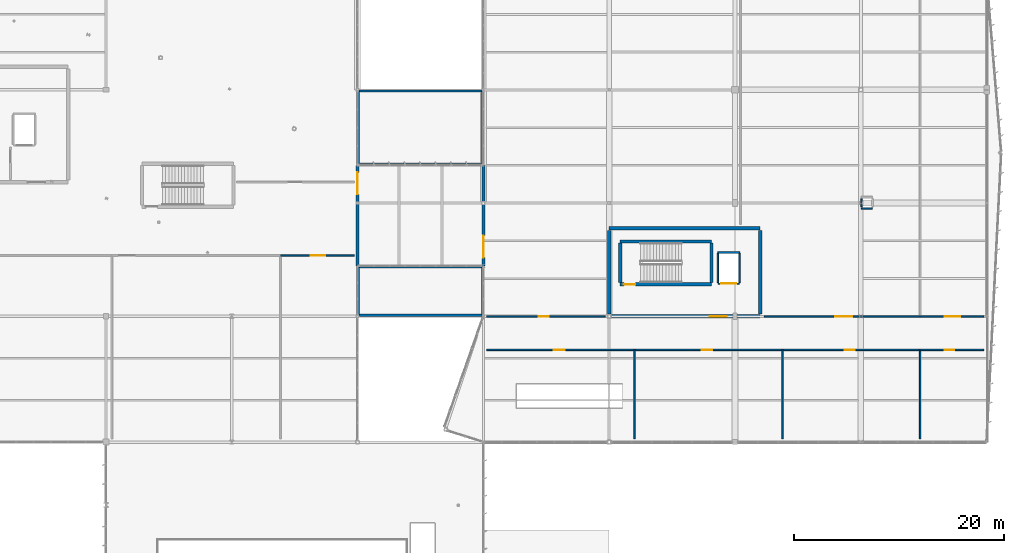
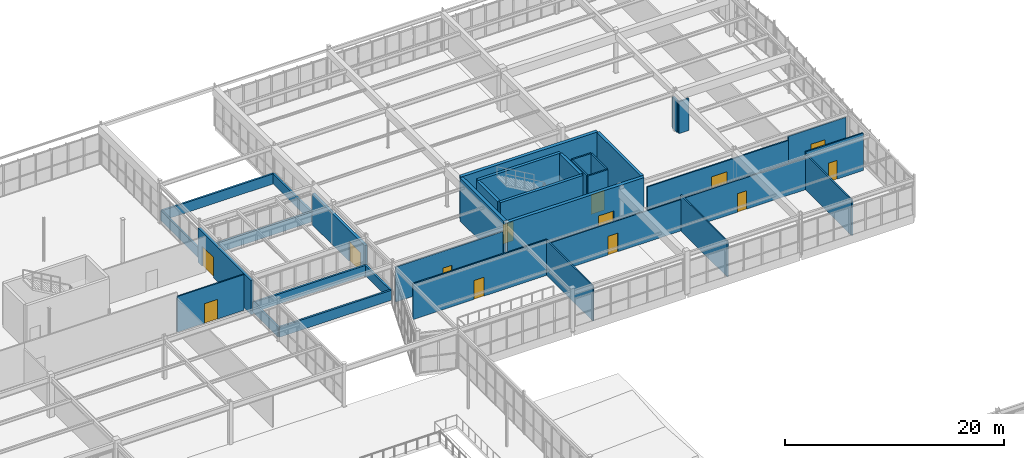
# One storey, part 198 of 226: 35 walls, 13 doors, 13 openings.
"""IFC4 building model written with IfcOpenShell, lengths in metres."""

from ifc_helpers import new_model, si_unit, direction, frame, frame_2d, origin, place, context, subcontext, project, spatial, rectangle, extrude, material, layer, layer_set, type_object, element, fill, save


model = new_model("IFC4")

# Units and contexts
model_context = context("Model", 3, precision=1e-05, world=origin(), true_north=direction((0.0, 1.0)))
body_context = subcontext(model_context, "Body", "Model", "MODEL_VIEW")
ifc_project = project(units=[si_unit("LENGTHUNIT", "METRE"), si_unit("AREAUNIT", "SQUARE_METRE"), si_unit("VOLUMEUNIT", "CUBIC_METRE"), si_unit("PLANEANGLEUNIT", "RADIAN"), si_unit("MASSUNIT", "GRAM", prefix="KILO")], contexts=[model_context])

# Site, building, storey
site_placement = place(None, origin())
site = spatial("IfcSite", under=ifc_project, at=site_placement, CompositionType="ELEMENT")
building_placement = place(site_placement, origin())
building = spatial("IfcBuilding", under=site, at=building_placement, Name="Tarnwether General Hospital", CompositionType="ELEMENT")
storey_placement = place(building_placement, frame((0.0, 0.0, 4.800048828125)))
storey = spatial("IfcBuildingStorey", under=building, at=storey_placement, Name="L01", CompositionType="ELEMENT", Elevation=4.800048828125)

# Wall, opening, door
ifc_material_1 = material(Name="Precast concrete 40 MPa", Category="concrete")
ifc_layer_1 = layer(ifc_material_1, 0.280029296875)
ifc_layer_set_1 = layer_set([ifc_layer_1], Name="Precast concrete 40 MPa")
wall_type_1 = type_object("IfcWallType", Name="WL-EX280", PredefinedType="STANDARD", material=ifc_layer_set_1)
wall_1_placement = place(storey_placement, frame((132.0, 108.0, 0.0), z_axis=(0.0, 0.0, 1.0), x_axis=(0.0, -1.0, 0.0)))
wall_1 = element("IfcWall", 1, at=wall_1_placement, inside=storey, type_object=wall_type_1, Name="L01 Bridge West Threshold EW-L01-0311", PredefinedType="STANDARD", context=body_context, shape_type="SweptSolid", body=[
    extrude(rectangle(XDim=9.60009765625, YDim=0.280029296875, at=frame_2d((4.800048828125, 0.0))), origin(), (0.0, 0.0, 1.0), 3.81787109375),
])
opening_1_placement = place(wall_1_placement, frame((0.680908203125, 0.0, 0.0)))
opening_1 = element("IfcOpeningElement", 2, at=opening_1_placement, cuts=wall_1, Name="Opening ED-09", PredefinedType="OPENING", context=body_context, shape_type="SweptSolid", body=[
    extrude(rectangle(XDim=2.10009765625, YDim=2.25, at=frame_2d((1.050048828125, 1.125))), frame((0.0, 0.14990234375, 0.0), z_axis=(0.0, -1.0, 0.0), x_axis=(1.0, 0.0, 0.0)), (0.0, 0.0, 1.0), 0.300048828125),
])
ifc_material_2 = material(Name="Anodised aluminium", Category="aluminium")
door_type_1 = type_object("IfcDoorType", Name="DR-HP01", OperationType="NOTDEFINED", PredefinedType="DOOR", material=ifc_material_2)
door_1_placement = place(opening_1_placement, origin())
door_1 = element("IfcDoor", 3, at=door_1_placement, inside=storey, type_object=door_type_1, Name="L01 Bridge West Door ED-L01-0039", OperationType="DOUBLE_DOOR_SINGLE_SWING", OverallHeight=2.25, OverallWidth=2.10009765625, PredefinedType="DOOR", context=body_context, shape_type="SweptSolid", body=[
    extrude(rectangle(XDim=2.10009765625, YDim=2.25, at=frame_2d((1.050048828125, 1.125))), frame((0.0, 0.02490234375, 0.0), z_axis=(0.0, -1.0, 0.0), x_axis=(1.0, 0.0, 0.0)), (0.0, 0.0, 1.0), 0.050048828125),
])
fill(opening_1, door_1)

wall_2_placement = place(storey_placement, frame((144.0, 98.39990234375, 0.0), z_axis=(0.0, 0.0, 1.0), x_axis=(0.0, 1.0, 0.0)))
wall_2 = element("IfcWall", 4, at=wall_2_placement, inside=storey, type_object=wall_type_1, Name="L01 Bridge East Threshold EW-L01-0312", PredefinedType="STANDARD", context=body_context, shape_type="SweptSolid", body=[
    extrude(rectangle(XDim=9.60009765625, YDim=0.280029296875, at=frame_2d((4.800048828125, 0.0))), origin(), (0.0, 0.0, 1.0), 3.47998046875),
])
opening_2_placement = place(wall_2_placement, frame((0.800048828125, 0.0, 0.0)))
opening_2 = element("IfcOpeningElement", 5, at=opening_2_placement, cuts=wall_2, Name="Opening ED-09", PredefinedType="OPENING", context=body_context, shape_type="SweptSolid", body=[
    extrude(rectangle(XDim=2.10009765625, YDim=2.25, at=frame_2d((1.050048828125, 1.125))), frame((0.0, 0.14990234375, 0.0), z_axis=(0.0, -1.0, 0.0), x_axis=(1.0, 0.0, 0.0)), (0.0, 0.0, 1.0), 0.300048828125),
])
door_2_placement = place(opening_2_placement, origin())
door_2 = element("IfcDoor", 6, at=door_2_placement, inside=storey, type_object=door_type_1, Name="L01 Bridge East Door ED-L01-0040", OperationType="DOUBLE_DOOR_SINGLE_SWING", OverallHeight=2.25, OverallWidth=2.10009765625, PredefinedType="DOOR", context=body_context, shape_type="SweptSolid", body=[
    extrude(rectangle(XDim=2.10009765625, YDim=2.25, at=frame_2d((1.050048828125, 1.125))), frame((0.0, 0.02490234375, 0.0), z_axis=(0.0, -1.0, 0.0), x_axis=(1.0, 0.0, 0.0)), (0.0, 0.0, 1.0), 0.050048828125),
])
fill(opening_2, door_2)

# Walls
ifc_material_3 = material(Name="Precast concrete 40 MPa", Category="concrete")
ifc_layer_2 = layer(ifc_material_3, 0.199951171875)
ifc_layer_set_2 = layer_set([ifc_layer_2], Name="Precast concrete 40 MPa")
wall_type_2 = type_object("IfcWallType", Name="WL-PR200", PredefinedType="PARAPET", material=ifc_layer_set_2)
wall_3_placement = place(storey_placement, frame((143.89990234375, 93.699951171875, 0.31005859375), z_axis=(0.0, 0.0, 1.0), x_axis=(-1.0, 0.0, 0.0)))
element("IfcWall", 7, at=wall_3_placement, inside=storey, type_object=wall_type_2, Name="Flat Roof Parapet EW-L01-0337", PredefinedType="PARAPET", context=body_context, shape_type="SweptSolid", body=[
    extrude(rectangle(XDim=11.7998046875, YDim=0.199951171875, at=frame_2d((5.89990234375, 0.0))), origin(), (0.0, 0.0, 1.0), 1.119873046875),
])
wall_4_placement = place(storey_placement, frame((132.10009765625, 93.699951171875, 0.31005859375), z_axis=(0.0, 0.0, 1.0), x_axis=(0.0, 1.0, 0.0)))
element("IfcWall", 8, at=wall_4_placement, inside=storey, type_object=wall_type_2, Name="Flat Roof Parapet EW-L01-0338", PredefinedType="PARAPET", context=body_context, shape_type="SweptSolid", body=[
    extrude(rectangle(XDim=4.60009765625, YDim=0.199951171875, at=frame_2d((2.300048828125, 0.0))), origin(), (0.0, 0.0, 1.0), 1.119873046875),
])
wall_5_placement = place(storey_placement, frame((132.10009765625, 98.300048828125, 0.31005859375), z_axis=(0.0, 0.0, 1.0), x_axis=(1.0, 0.0, 0.0)))
element("IfcWall", 9, at=wall_5_placement, inside=storey, type_object=wall_type_2, Name="Flat Roof Parapet EW-L01-0339", PredefinedType="PARAPET", context=body_context, shape_type="SweptSolid", body=[
    extrude(rectangle(XDim=11.7998046875, YDim=0.199951171875, at=frame_2d((5.89990234375, 0.0))), origin(), (0.0, 0.0, 1.0), 1.119873046875),
])
wall_6_placement = place(storey_placement, frame((143.89990234375, 98.300048828125, 0.31005859375), z_axis=(0.0, 0.0, 1.0), x_axis=(0.0, -1.0, 0.0)))
element("IfcWall", 10, at=wall_6_placement, inside=storey, type_object=wall_type_2, Name="Flat Roof Parapet EW-L01-0340", PredefinedType="PARAPET", context=body_context, shape_type="SweptSolid", body=[
    extrude(rectangle(XDim=4.60009765625, YDim=0.199951171875, at=frame_2d((2.300048828125, 0.0))), origin(), (0.0, 0.0, 1.0), 1.119873046875),
])
wall_7_placement = place(storey_placement, frame((143.89990234375, 108.10009765625, 0.31005859375), z_axis=(0.0, 0.0, 1.0), x_axis=(-1.0, 0.0, 0.0)))
element("IfcWall", 11, at=wall_7_placement, inside=storey, type_object=wall_type_2, Name="Flat Roof Parapet EW-L01-0341", PredefinedType="PARAPET", context=body_context, shape_type="SweptSolid", body=[
    extrude(rectangle(XDim=11.7998046875, YDim=0.199951171875, at=frame_2d((5.89990234375, 0.0))), origin(), (0.0, 0.0, 1.0), 1.119873046875),
])
wall_8_placement = place(storey_placement, frame((132.10009765625, 108.10009765625, 0.31005859375), z_axis=(0.0, 0.0, 1.0), x_axis=(0.0, 1.0, 0.0)))
element("IfcWall", 12, at=wall_8_placement, inside=storey, type_object=wall_type_2, Name="Flat Roof Parapet EW-L01-0342", PredefinedType="PARAPET", context=body_context, shape_type="SweptSolid", body=[
    extrude(rectangle(XDim=7.0, YDim=0.199951171875, at=frame_2d((3.5, 0.0))), origin(), (0.0, 0.0, 1.0), 1.119873046875),
])
wall_9_placement = place(storey_placement, frame((132.10009765625, 115.10009765625, 0.31005859375), z_axis=(0.0, 0.0, 1.0), x_axis=(1.0, 0.0, 0.0)))
element("IfcWall", 13, at=wall_9_placement, inside=storey, type_object=wall_type_2, Name="Flat Roof Parapet EW-L01-0343", PredefinedType="PARAPET", context=body_context, shape_type="SweptSolid", body=[
    extrude(rectangle(XDim=11.7998046875, YDim=0.199951171875, at=frame_2d((5.89990234375, 0.0))), origin(), (0.0, 0.0, 1.0), 1.119873046875),
])
wall_10_placement = place(storey_placement, frame((143.89990234375, 115.10009765625, 0.31005859375), z_axis=(0.0, 0.0, 1.0), x_axis=(0.0, -1.0, 0.0)))
element("IfcWall", 14, at=wall_10_placement, inside=storey, type_object=wall_type_2, Name="Flat Roof Parapet EW-L01-0344", PredefinedType="PARAPET", context=body_context, shape_type="SweptSolid", body=[
    extrude(rectangle(XDim=7.0, YDim=0.199951171875, at=frame_2d((3.5, 0.0))), origin(), (0.0, 0.0, 1.0), 1.119873046875),
])

# Wall, opening, door
ifc_material_4 = material(Name="Gypsum plasterboard")
ifc_layer_3 = layer(ifc_material_4, 0.139892578125)
ifc_layer_set_3 = layer_set([ifc_layer_3], Name="Gypsum plasterboard")
wall_type_3 = type_object("IfcWallType", Name="WL-PT140", PredefinedType="PARTITIONING", material=ifc_layer_set_3)
wall_11_placement = place(storey_placement, frame((124.660888671875, 99.39990234375, 0.0), z_axis=(0.0, 0.0, 1.0), x_axis=(1.0, 0.0, 0.0)))
wall_11 = element("IfcWall", 15, at=wall_11_placement, inside=storey, type_object=wall_type_3, Name="Interior Partition PT-L01-0201", PredefinedType="PARTITIONING", context=body_context, shape_type="SweptSolid", body=[
    extrude(rectangle(XDim=7.0390625, YDim=0.139892578125, at=frame_2d((3.51953125, 0.0))), origin(), (0.0, 0.0, 1.0), 3.972900390625),
])
opening_3_placement = place(wall_11_placement, frame((2.8701171875, 0.0, 0.0)))
opening_3 = element("IfcOpeningElement", 16, at=opening_3_placement, cuts=wall_11, Name="Opening D-02", PredefinedType="OPENING", context=body_context, shape_type="SweptSolid", body=[
    extrude(rectangle(XDim=1.360107421875, YDim=2.179931640625, at=frame_2d((0.68017578125, 1.08984375))), frame((0.0, 0.080078125, 0.0), z_axis=(0.0, -1.0, 0.0), x_axis=(1.0, 0.0, 0.0)), (0.0, 0.0, 1.0), 0.159912109375),
])
ifc_material_5 = material(Name="Anodised aluminium", Category="aluminium")
door_type_2 = type_object("IfcDoorType", Name="DR-IN02", OperationType="NOTDEFINED", PredefinedType="DOOR", material=ifc_material_5)
door_3_placement = place(opening_3_placement, origin())
door_3 = element("IfcDoor", 17, at=door_3_placement, inside=storey, type_object=door_type_2, Name="Interior Door DR-L01-0111", OperationType="SINGLE_SWING_LEFT", OverallHeight=2.179931640625, OverallWidth=1.360107421875, PredefinedType="DOOR", context=body_context, shape_type="SweptSolid", body=[
    extrude(rectangle(XDim=1.360107421875, YDim=2.179931640625, at=frame_2d((0.68017578125, 1.08984375))), frame((0.0, 0.02490234375, 0.0), z_axis=(0.0, -1.0, 0.0), x_axis=(1.0, 0.0, 0.0)), (0.0, 0.0, 1.0), 0.050048828125),
])
fill(opening_3, door_3)

wall_12_placement = place(storey_placement, frame((144.300048828125, 90.39990234375, 0.0), z_axis=(0.0, 0.0, 1.0), x_axis=(1.0, 0.0, 0.0)))
wall_12 = element("IfcWall", 18, at=wall_12_placement, inside=storey, type_object=wall_type_3, Name="Interior Partition PT-L01-0228", PredefinedType="PARTITIONING", context=body_context, shape_type="SweptSolid", body=[
    extrude(rectangle(XDim=14.118896484375, YDim=0.139892578125, at=frame_2d((7.0595703125, 0.0))), origin(), (0.0, 0.0, 1.0), 3.972900390625),
])
opening_4_placement = place(wall_12_placement, frame((6.409912109375, 0.0, 0.0)))
opening_4 = element("IfcOpeningElement", 19, at=opening_4_placement, cuts=wall_12, Name="Opening D-08", PredefinedType="OPENING", context=body_context, shape_type="SweptSolid", body=[
    extrude(rectangle(XDim=1.06005859375, YDim=2.10009765625, at=frame_2d((0.530029296875, 1.050048828125))), frame((0.0, 0.080078125, 0.0), z_axis=(0.0, -1.0, 0.0), x_axis=(1.0, 0.0, 0.0)), (0.0, 0.0, 1.0), 0.159912109375),
])
ifc_material_6 = material(Name="Anodised aluminium", Category="aluminium")
door_type_3 = type_object("IfcDoorType", Name="DR-IN08", OperationType="NOTDEFINED", PredefinedType="DOOR", material=ifc_material_6)
door_4_placement = place(opening_4_placement, origin())
door_4 = element("IfcDoor", 20, at=door_4_placement, inside=storey, type_object=door_type_3, Name="Interior Door DR-L01-0126", OperationType="SINGLE_SWING_RIGHT", OverallHeight=2.10009765625, OverallWidth=1.06005859375, PredefinedType="DOOR", context=body_context, shape_type="SweptSolid", body=[
    extrude(rectangle(XDim=1.06005859375, YDim=2.10009765625, at=frame_2d((0.530029296875, 1.050048828125))), frame((0.0, 0.02490234375, 0.0), z_axis=(0.0, -1.0, 0.0), x_axis=(1.0, 0.0, 0.0)), (0.0, 0.0, 1.0), 0.050048828125),
])
fill(opening_4, door_4)

# Wall
wall_13_placement = place(storey_placement, frame((158.4189453125, 81.89990234375, 0.0), z_axis=(0.0, 0.0, 1.0), x_axis=(0.0, 1.0, 0.0)))
element("IfcWall", 21, at=wall_13_placement, inside=storey, type_object=wall_type_3, Name="Interior Partition PT-L01-0229", PredefinedType="PARTITIONING", context=body_context, shape_type="SweptSolid", body=[
    extrude(rectangle(XDim=8.5, YDim=0.139892578125, at=frame_2d((4.25, 0.0))), origin(), (0.0, 0.0, 1.0), 3.90185546875),
])

# Wall, opening, door
wall_14_placement = place(storey_placement, frame((158.4189453125, 90.39990234375, 0.0), z_axis=(0.0, 0.0, 1.0), x_axis=(1.0, 0.0, 0.0)))
wall_14 = element("IfcWall", 22, at=wall_14_placement, inside=storey, type_object=wall_type_3, Name="Interior Partition PT-L01-0230", PredefinedType="PARTITIONING", context=body_context, shape_type="SweptSolid", body=[
    extrude(rectangle(XDim=14.119140625, YDim=0.139892578125, at=frame_2d((7.0595703125, 0.0))), origin(), (0.0, 0.0, 1.0), 3.47998046875),
])
opening_5_placement = place(wall_14_placement, frame((6.409912109375, 0.0, 0.0)))
opening_5 = element("IfcOpeningElement", 23, at=opening_5_placement, cuts=wall_14, Name="Opening D-09", PredefinedType="OPENING", context=body_context, shape_type="SweptSolid", body=[
    extrude(rectangle(XDim=1.02001953125, YDim=2.080078125, at=frame_2d((0.510009765625, 1.0400390625))), frame((0.0, 0.080078125, 0.0), z_axis=(0.0, -1.0, 0.0), x_axis=(1.0, 0.0, 0.0)), (0.0, 0.0, 1.0), 0.159912109375),
])
ifc_material_7 = material(Name="Anodised aluminium", Category="aluminium")
door_type_4 = type_object("IfcDoorType", Name="DR-IN09", OperationType="NOTDEFINED", PredefinedType="DOOR", material=ifc_material_7)
door_5_placement = place(opening_5_placement, origin())
door_5 = element("IfcDoor", 24, at=door_5_placement, inside=storey, type_object=door_type_4, Name="Interior Door DR-L01-0127", OperationType="SINGLE_SWING_LEFT", OverallHeight=2.080078125, OverallWidth=1.02001953125, PredefinedType="DOOR", context=body_context, shape_type="SweptSolid", body=[
    extrude(rectangle(XDim=1.02001953125, YDim=2.080078125, at=frame_2d((0.510009765625, 1.0400390625))), frame((0.0, 0.02490234375, 0.0), z_axis=(0.0, -1.0, 0.0), x_axis=(1.0, 0.0, 0.0)), (0.0, 0.0, 1.0), 0.050048828125),
])
fill(opening_5, door_5)

# Wall
wall_15_placement = place(storey_placement, frame((172.5380859375, 81.89990234375, 0.0), z_axis=(0.0, 0.0, 1.0), x_axis=(0.0, 1.0, 0.0)))
element("IfcWall", 25, at=wall_15_placement, inside=storey, type_object=wall_type_3, Name="Interior Partition PT-L01-0231", PredefinedType="PARTITIONING", context=body_context, shape_type="SweptSolid", body=[
    extrude(rectangle(XDim=8.5, YDim=0.139892578125, at=frame_2d((4.25, 0.0))), origin(), (0.0, 0.0, 1.0), 3.969970703125),
])

# Wall, opening, door
wall_16_placement = place(storey_placement, frame((172.5380859375, 90.39990234375, 0.0), z_axis=(0.0, 0.0, 1.0), x_axis=(1.0, 0.0, 0.0)))
wall_16 = element("IfcWall", 26, at=wall_16_placement, inside=storey, type_object=wall_type_3, Name="Interior Partition PT-L01-0232", PredefinedType="PARTITIONING", context=body_context, shape_type="SweptSolid", body=[
    extrude(rectangle(XDim=13.11083984375, YDim=0.139892578125, at=frame_2d((6.555419921875, 0.0))), origin(), (0.0, 0.0, 1.0), 3.530029296875),
])
opening_6_placement = place(wall_16_placement, frame((5.905029296875, 0.0, 0.0)))
opening_6 = element("IfcOpeningElement", 27, at=opening_6_placement, cuts=wall_16, Name="Opening D-10", PredefinedType="OPENING", context=body_context, shape_type="SweptSolid", body=[
    extrude(rectangle(XDim=0.9599609375, YDim=2.06005859375, at=frame_2d((0.47998046875, 1.030029296875))), frame((0.0, 0.080078125, 0.0), z_axis=(0.0, -1.0, 0.0), x_axis=(1.0, 0.0, 0.0)), (0.0, 0.0, 1.0), 0.159912109375),
])
ifc_material_8 = material(Name="Anodised aluminium", Category="aluminium")
door_type_5 = type_object("IfcDoorType", Name="DR-IN10", OperationType="NOTDEFINED", PredefinedType="DOOR", material=ifc_material_8)
door_6_placement = place(opening_6_placement, origin())
door_6 = element("IfcDoor", 28, at=door_6_placement, inside=storey, type_object=door_type_5, Name="Interior Door DR-L01-0128", OperationType="SINGLE_SWING_RIGHT", OverallHeight=2.06005859375, OverallWidth=0.9599609375, PredefinedType="DOOR", context=body_context, shape_type="SweptSolid", body=[
    extrude(rectangle(XDim=0.9599609375, YDim=2.06005859375, at=frame_2d((0.47998046875, 1.030029296875))), frame((0.0, 0.02490234375, 0.0), z_axis=(0.0, -1.0, 0.0), x_axis=(1.0, 0.0, 0.0)), (0.0, 0.0, 1.0), 0.050048828125),
])
fill(opening_6, door_6)

# Wall
wall_17_placement = place(storey_placement, frame((185.64892578125, 81.89990234375, 0.0), z_axis=(0.0, 0.0, 1.0), x_axis=(0.0, 1.0, 0.0)))
element("IfcWall", 29, at=wall_17_placement, inside=storey, type_object=wall_type_3, Name="Interior Partition PT-L01-0233", PredefinedType="PARTITIONING", context=body_context, shape_type="SweptSolid", body=[
    extrude(rectangle(XDim=8.5, YDim=0.139892578125, at=frame_2d((4.25, 0.0))), origin(), (0.0, 0.0, 1.0), 3.972900390625),
])

# Wall, opening, door
wall_18_placement = place(storey_placement, frame((185.64892578125, 90.39990234375, 0.0), z_axis=(0.0, 0.0, 1.0), x_axis=(1.0, 0.0, 0.0)))
wall_18 = element("IfcWall", 30, at=wall_18_placement, inside=storey, type_object=wall_type_3, Name="Interior Partition PT-L01-0234", PredefinedType="PARTITIONING", context=body_context, shape_type="SweptSolid", body=[
    extrude(rectangle(XDim=6.051025390625, YDim=0.139892578125, at=frame_2d((3.025390625, 0.0))), origin(), (0.0, 0.0, 1.0), 4.179931640625),
])
opening_7_placement = place(wall_18_placement, frame((2.3759765625, 0.0, 0.0)))
opening_7 = element("IfcOpeningElement", 31, at=opening_7_placement, cuts=wall_18, Name="Opening D-11", PredefinedType="OPENING", context=body_context, shape_type="SweptSolid", body=[
    extrude(rectangle(XDim=0.89990234375, YDim=2.10009765625, at=frame_2d((0.449951171875, 1.050048828125))), frame((0.0, 0.080078125, 0.0), z_axis=(0.0, -1.0, 0.0), x_axis=(1.0, 0.0, 0.0)), (0.0, 0.0, 1.0), 0.159912109375),
])
ifc_material_9 = material(Name="Anodised aluminium", Category="aluminium")
door_type_6 = type_object("IfcDoorType", Name="DR-IN11", OperationType="NOTDEFINED", PredefinedType="DOOR", material=ifc_material_9)
door_7_placement = place(opening_7_placement, origin())
door_7 = element("IfcDoor", 32, at=door_7_placement, inside=storey, type_object=door_type_6, Name="Interior Door DR-L01-0129", OperationType="SINGLE_SWING_LEFT", OverallHeight=2.10009765625, OverallWidth=0.89990234375, PredefinedType="DOOR", context=body_context, shape_type="SweptSolid", body=[
    extrude(rectangle(XDim=0.89990234375, YDim=2.10009765625, at=frame_2d((0.449951171875, 1.050048828125))), frame((0.0, 0.02490234375, 0.0), z_axis=(0.0, -1.0, 0.0), x_axis=(1.0, 0.0, 0.0)), (0.0, 0.0, 1.0), 0.050048828125),
])
fill(opening_7, door_7)

wall_19_placement = place(storey_placement, frame((144.300048828125, 93.60009765625, 0.0), z_axis=(0.0, 0.0, 1.0), x_axis=(1.0, 0.0, 0.0)))
wall_19 = element("IfcWall", 33, at=wall_19_placement, inside=storey, type_object=wall_type_3, Name="Interior Partition PT-L01-0235", PredefinedType="PARTITIONING", context=body_context, shape_type="SweptSolid", body=[
    extrude(rectangle(XDim=11.300048828125, YDim=0.139892578125, at=frame_2d((5.64990234375, 0.0))), origin(), (0.0, 0.0, 1.0), 3.89697265625),
])
opening_8_placement = place(wall_19_placement, frame((5.0, 0.0, 0.0)))
opening_8 = element("IfcOpeningElement", 34, at=opening_8_placement, cuts=wall_19, Name="Opening D-12", PredefinedType="OPENING", context=body_context, shape_type="SweptSolid", body=[
    extrude(rectangle(XDim=0.919921875, YDim=2.0400390625, at=frame_2d((0.4599609375, 1.02001953125))), frame((0.0, 0.080078125, 0.0), z_axis=(0.0, -1.0, 0.0), x_axis=(1.0, 0.0, 0.0)), (0.0, 0.0, 1.0), 0.159912109375),
])
ifc_material_10 = material(Name="Anodised aluminium", Category="aluminium")
door_type_7 = type_object("IfcDoorType", Name="DR-IN12", OperationType="NOTDEFINED", PredefinedType="DOOR", material=ifc_material_10)
door_8_placement = place(opening_8_placement, origin())
door_8 = element("IfcDoor", 35, at=door_8_placement, inside=storey, type_object=door_type_7, Name="Interior Door DR-L01-0130", OperationType="SINGLE_SWING_RIGHT", OverallHeight=2.0400390625, OverallWidth=0.919921875, PredefinedType="DOOR", context=body_context, shape_type="SweptSolid", body=[
    extrude(rectangle(XDim=0.919921875, YDim=2.0400390625, at=frame_2d((0.4599609375, 1.02001953125))), frame((0.0, 0.02490234375, 0.0), z_axis=(0.0, -1.0, 0.0), x_axis=(1.0, 0.0, 0.0)), (0.0, 0.0, 1.0), 0.050048828125),
])
fill(opening_8, door_8)

wall_20_placement = place(storey_placement, frame((170.800048828125, 93.60009765625, 0.0), z_axis=(0.0, 0.0, 1.0), x_axis=(1.0, 0.0, 0.0)))
wall_20 = element("IfcWall", 36, at=wall_20_placement, inside=storey, type_object=wall_type_3, Name="Interior Partition PT-L01-0237", PredefinedType="PARTITIONING", context=body_context, shape_type="SweptSolid", body=[
    extrude(rectangle(XDim=14.848876953125, YDim=0.139892578125, at=frame_2d((7.42431640625, 0.0))), origin(), (0.0, 0.0, 1.0), 3.530029296875),
])
opening_9_placement = place(wall_20_placement, frame((6.77392578125, 0.0, 0.0)))
opening_9 = element("IfcOpeningElement", 37, at=opening_9_placement, cuts=wall_20, Name="Opening SD-02", PredefinedType="OPENING", context=body_context, shape_type="SweptSolid", body=[
    extrude(rectangle(XDim=1.6201171875, YDim=2.300048828125, at=frame_2d((0.81005859375, 1.14990234375))), frame((0.0, 0.080078125, 0.0), z_axis=(0.0, -1.0, 0.0), x_axis=(1.0, 0.0, 0.0)), (0.0, 0.0, 1.0), 0.159912109375),
])
ifc_material_11 = material(Name="Anodised aluminium", Category="aluminium")
door_type_8 = type_object("IfcDoorType", Name="DR-OR02", OperationType="NOTDEFINED", PredefinedType="DOOR", material=ifc_material_11)
door_9_placement = place(opening_9_placement, origin())
door_9 = element("IfcDoor", 38, at=door_9_placement, inside=storey, type_object=door_type_8, Name="Interior Door DR-L01-0131", OperationType="SLIDING_TO_RIGHT", OverallHeight=2.300048828125, OverallWidth=1.6201171875, PredefinedType="DOOR", context=body_context, shape_type="SweptSolid", body=[
    extrude(rectangle(XDim=1.6201171875, YDim=2.300048828125, at=frame_2d((0.81005859375, 1.14990234375))), frame((0.0, 0.02490234375, 0.0), z_axis=(0.0, -1.0, 0.0), x_axis=(1.0, 0.0, 0.0)), (0.0, 0.0, 1.0), 0.050048828125),
])
fill(opening_9, door_9)

wall_21_placement = place(storey_placement, frame((185.64892578125, 93.60009765625, 0.0), z_axis=(0.0, 0.0, 1.0), x_axis=(1.0, 0.0, 0.0)))
wall_21 = element("IfcWall", 39, at=wall_21_placement, inside=storey, type_object=wall_type_3, Name="Interior Partition PT-L01-0239", PredefinedType="PARTITIONING", context=body_context, shape_type="SweptSolid", body=[
    extrude(rectangle(XDim=6.051025390625, YDim=0.139892578125, at=frame_2d((3.025390625, 0.0))), origin(), (0.0, 0.0, 1.0), 3.975830078125),
])
opening_10_placement = place(wall_21_placement, frame((2.3759765625, 0.0, 0.0)))
opening_10 = element("IfcOpeningElement", 40, at=opening_10_placement, cuts=wall_21, Name="Opening SD-03", PredefinedType="OPENING", context=body_context, shape_type="SweptSolid", body=[
    extrude(rectangle(XDim=1.47998046875, YDim=2.260009765625, at=frame_2d((0.739990234375, 1.1298828125))), frame((0.0, 0.080078125, 0.0), z_axis=(0.0, -1.0, 0.0), x_axis=(1.0, 0.0, 0.0)), (0.0, 0.0, 1.0), 0.159912109375),
])
ifc_material_12 = material(Name="Anodised aluminium", Category="aluminium")
door_type_9 = type_object("IfcDoorType", Name="DR-OR03", OperationType="NOTDEFINED", PredefinedType="DOOR", material=ifc_material_12)
door_10_placement = place(opening_10_placement, origin())
door_10 = element("IfcDoor", 41, at=door_10_placement, inside=storey, type_object=door_type_9, Name="Interior Door DR-L01-0132", OperationType="SLIDING_TO_LEFT", OverallHeight=2.260009765625, OverallWidth=1.47998046875, PredefinedType="DOOR", context=body_context, shape_type="SweptSolid", body=[
    extrude(rectangle(XDim=1.47998046875, YDim=2.260009765625, at=frame_2d((0.739990234375, 1.1298828125))), frame((0.0, 0.02490234375, 0.0), z_axis=(0.0, -1.0, 0.0), x_axis=(1.0, 0.0, 0.0)), (0.0, 0.0, 1.0), 0.050048828125),
])
fill(opening_10, door_10)

# Walls
ifc_material_13 = material(Name="Gypsum plasterboard")
ifc_layer_4 = layer(ifc_material_13, 0.159912109375)
ifc_layer_set_4 = layer_set([ifc_layer_4], Name="Gypsum plasterboard")
wall_type_4 = type_object("IfcWallType", Name="WL-PT160", PredefinedType="PARTITIONING", material=ifc_layer_set_4)
wall_22_placement = place(storey_placement, frame((180.050048828125, 103.889892578125, 0.0), z_axis=(0.0, 0.0, 1.0), x_axis=(1.0, 0.0, 0.0)))
element("IfcWall", 42, at=wall_22_placement, inside=storey, type_object=wall_type_4, Name="Service Riser Enclosure SL-L01-V6N2 S", PredefinedType="PARTITIONING", context=body_context, shape_type="SweptSolid", body=[
    extrude(rectangle(XDim=1.06005859375, YDim=0.159912109375, at=frame_2d((0.530029296875, 0.0))), origin(), (0.0, 0.0, 1.0), 3.550048828125),
])
wall_23_placement = place(storey_placement, frame((180.050048828125, 104.7900390625, 0.0), z_axis=(0.0, 0.0, 1.0), x_axis=(0.0, -1.0, 0.0)))
element("IfcWall", 43, at=wall_23_placement, inside=storey, type_object=wall_type_4, Name="Service Riser Enclosure SL-L01-V6N2 W", PredefinedType="PARTITIONING", context=body_context, shape_type="SweptSolid", body=[
    extrude(rectangle(XDim=0.739990234375, YDim=0.159912109375, at=frame_2d((0.3701171875, 0.0))), origin(), (0.0, 0.0, 1.0), 3.550048828125),
])

# Wall, opening, door
wall_24_placement = place(storey_placement, frame((166.360107421875, 96.7099609375, 0.0), z_axis=(0.0, 0.0, 1.0), x_axis=(1.0, 0.0, 0.0)))
wall_24 = element("IfcWall", 44, at=wall_24_placement, inside=storey, type_object=wall_type_4, Name="Lift L-06 Shaft Wall LSH-L-06-L01-S", PredefinedType="PARTITIONING", context=body_context, shape_type="SweptSolid", body=[
    extrude(rectangle(XDim=2.079833984375, YDim=0.159912109375, at=frame_2d((1.0400390625, 0.0))), origin(), (0.0, 0.0, 1.0), 4.429931640625),
])
opening_11_placement = place(wall_24_placement, frame((0.340087890625, 0.0, 0.0)))
opening_11 = element("IfcOpeningElement", 45, at=opening_11_placement, cuts=wall_24, Name="Opening LD-01", PredefinedType="OPENING", context=body_context, shape_type="SweptSolid", body=[
    extrude(rectangle(XDim=1.39990234375, YDim=2.199951171875, at=frame_2d((0.699951171875, 1.10009765625))), frame((0.0, 0.08984375, 0.0), z_axis=(0.0, -1.0, 0.0), x_axis=(1.0, 0.0, 0.0)), (0.0, 0.0, 1.0), 0.179931640625),
])
ifc_material_14 = material(Name="Anodised aluminium", Category="aluminium")
door_type_10 = type_object("IfcDoorType", Name="DR-LD01", OperationType="NOTDEFINED", PredefinedType="DOOR", material=ifc_material_14)
door_11_placement = place(opening_11_placement, origin())
door_11 = element("IfcDoor", 46, at=door_11_placement, inside=storey, type_object=door_type_10, Name="Lift L-06 Sliding Landing Door L01", OperationType="SLIDING_TO_RIGHT", OverallHeight=2.199951171875, OverallWidth=1.39990234375, PredefinedType="DOOR", context=body_context, shape_type="SweptSolid", body=[
    extrude(rectangle(XDim=1.39990234375, YDim=2.199951171875, at=frame_2d((0.699951171875, 1.10009765625))), frame((0.0, 0.02490234375, 0.0), z_axis=(0.0, -1.0, 0.0), x_axis=(1.0, 0.0, 0.0)), (0.0, 0.0, 1.0), 0.050048828125),
])
fill(opening_11, door_11)

# Walls
wall_25_placement = place(storey_placement, frame((168.43994140625, 99.68994140625, 0.0), z_axis=(0.0, 0.0, 1.0), x_axis=(-1.0, 0.0, 0.0)))
element("IfcWall", 47, at=wall_25_placement, inside=storey, type_object=wall_type_4, Name="Lift L-06 Shaft Wall LSH-L-06-L01-N", PredefinedType="PARTITIONING", context=body_context, shape_type="SweptSolid", body=[
    extrude(rectangle(XDim=2.079833984375, YDim=0.159912109375, at=frame_2d((1.0400390625, 0.0))), origin(), (0.0, 0.0, 1.0), 4.429931640625),
])
for number, where, z_axis, x_axis, name in (
    (48, (166.360107421875, 99.590087890625, 0.0), (0.0, 0.0, 1.0), (0.0, -1.0, 0.0), "Lift L-06 Shaft Wall LSH-L-06-L01-W"),
    (49, (168.43994140625, 96.81005859375, 0.0), (0.0, 0.0, 1.0), (0.0, 1.0, 0.0), "Lift L-06 Shaft Wall LSH-L-06-L01-E"),
):
    element("IfcWall", number, at=place(storey_placement, frame(where, z_axis=z_axis, x_axis=x_axis)), inside=storey, type_object=wall_type_4, Name=name, PredefinedType="PARTITIONING", context=body_context, shape_type="SweptSolid", body=[
        extrude(rectangle(XDim=2.780029296875, YDim=0.159912109375, at=frame_2d((1.39013671875, 0.0))), origin(), (0.0, 0.0, 1.0), 4.429931640625),
    ])
ifc_material_15 = material(Name="Concrete 50 MPa", Category="concrete")
ifc_layer_5 = layer(ifc_material_15, 0.300048828125)
ifc_layer_set_5 = layer_set([ifc_layer_5], Name="Concrete 50 MPa")
wall_type_5 = type_object("IfcWallType", Name="WL-SW300", PredefinedType="SHEAR", material=ifc_layer_set_5)
wall_26_placement = place(storey_placement, frame((170.39990234375, 101.800048828125, 0.0), z_axis=(0.0, 0.0, 1.0), x_axis=(0.0, -1.0, 0.0)))
element("IfcWall", 50, at=wall_26_placement, inside=storey, type_object=wall_type_5, Name="Core Shear Wall CWALL-K6-L01-E", PredefinedType="SHEAR", context=body_context, shape_type="SweptSolid", body=[
    extrude(rectangle(XDim=8.0, YDim=0.300048828125, at=frame_2d((4.0, 0.0))), origin(), (0.0, 0.0, 1.0), 4.800048828125),
])

# Wall, opening, door
wall_27_placement = place(storey_placement, frame((157.050048828125, 96.64990234375, 0.0), z_axis=(0.0, 0.0, 1.0), x_axis=(1.0, 0.0, 0.0)))
wall_27 = element("IfcWall", 51, at=wall_27_placement, inside=storey, type_object=wall_type_5, Name="Stairwell Shear Wall STW-ST-06-L01-B", PredefinedType="SHEAR", context=body_context, shape_type="SweptSolid", body=[
    extrude(rectangle(XDim=8.699951171875, YDim=0.300048828125, at=frame_2d((4.35009765625, 0.0))), origin(), (0.0, 0.0, 1.0), 4.800048828125),
])
opening_12_placement = place(wall_27_placement, frame((0.35009765625, 0.0, 0.0)))
opening_12 = element("IfcOpeningElement", 52, at=opening_12_placement, cuts=wall_27, Name="Opening FD-06", PredefinedType="OPENING", context=body_context, shape_type="SweptSolid", body=[
    extrude(rectangle(XDim=1.10009765625, YDim=2.14990234375, at=frame_2d((0.550048828125, 1.074951171875))), frame((0.0, 0.16015625, 0.0), z_axis=(0.0, -1.0, 0.0), x_axis=(1.0, 0.0, 0.0)), (0.0, 0.0, 1.0), 0.320068359375),
])
ifc_material_16 = material(Name="Anodised aluminium", Category="aluminium")
door_type_11 = type_object("IfcDoorType", Name="DR-FD06", OperationType="NOTDEFINED", PredefinedType="DOOR", material=ifc_material_16)
door_12_placement = place(opening_12_placement, origin())
door_12 = element("IfcDoor", 53, at=door_12_placement, inside=storey, type_object=door_type_11, Name="Stairwell ST-06 Safe-Path Fire Door L01", OperationType="SINGLE_SWING_LEFT", OverallHeight=2.14990234375, OverallWidth=1.10009765625, PredefinedType="DOOR", context=body_context, shape_type="SweptSolid", body=[
    extrude(rectangle(XDim=1.10009765625, YDim=2.14990234375, at=frame_2d((0.550048828125, 1.074951171875))), frame((0.0, 0.02490234375, 0.0), z_axis=(0.0, -1.0, 0.0), x_axis=(1.0, 0.0, 0.0)), (0.0, 0.0, 1.0), 0.050048828125),
])
fill(opening_12, door_12)

# Walls
wall_28_placement = place(storey_placement, frame((165.75, 100.75, 0.0), z_axis=(0.0, 0.0, 1.0), x_axis=(-1.0, 0.0, 0.0)))
element("IfcWall", 54, at=wall_28_placement, inside=storey, type_object=wall_type_5, Name="Stairwell Shear Wall STW-ST-06-L01-N", PredefinedType="SHEAR", context=body_context, shape_type="SweptSolid", body=[
    extrude(rectangle(XDim=8.699951171875, YDim=0.300048828125, at=frame_2d((4.35009765625, 0.0))), origin(), (0.0, 0.0, 1.0), 4.800048828125),
])
for number, where, z_axis, x_axis, name in (
    (55, (157.050048828125, 96.820068359375, 0.0), (0.0, 0.0, 1.0), (0.0, 1.0, 0.0), "Stairwell Shear Wall STW-ST-06-L01-L"),
    (56, (165.75, 96.820068359375, 0.0), (0.0, 0.0, 1.0), (0.0, 1.0, 0.0), "Stairwell Shear Wall STW-ST-06-L01-F"),
):
    element("IfcWall", number, at=place(storey_placement, frame(where, z_axis=z_axis, x_axis=x_axis)), inside=storey, type_object=wall_type_5, Name=name, PredefinedType="SHEAR", context=body_context, shape_type="SweptSolid", body=[
        extrude(rectangle(XDim=3.760009765625, YDim=0.300048828125, at=frame_2d((1.8798828125, 0.0))), origin(), (0.0, 0.0, 1.0), 4.800048828125),
    ])
ifc_material_17 = material(Name="Concrete 50 MPa", Category="concrete")
ifc_layer_6 = layer(ifc_material_17, 0.35009765625)
ifc_layer_set_6 = layer_set([ifc_layer_6], Name="Concrete 50 MPa")
wall_type_6 = type_object("IfcWallType", Name="WL-SW350", PredefinedType="SHEAR", material=ifc_layer_set_6)
wall_29_placement = place(storey_placement, frame((156.0, 102.0, 0.0), z_axis=(0.0, 0.0, 1.0), x_axis=(1.0, 0.0, 0.0)))
element("IfcWall", 57, at=wall_29_placement, inside=storey, type_object=wall_type_6, Name="Core Shear Wall CWALL-K6-L01-N", PredefinedType="SHEAR", context=body_context, shape_type="SweptSolid", body=[
    extrude(rectangle(XDim=14.39990234375, YDim=0.35009765625, at=frame_2d((7.199951171875, 0.0))), origin(), (0.0, 0.0, 1.0), 4.800048828125),
])

# Wall, opening, door
wall_30_placement = place(storey_placement, frame((170.39990234375, 93.60009765625, 0.0), z_axis=(0.0, 0.0, 1.0), x_axis=(-1.0, 0.0, 0.0)))
wall_30 = element("IfcWall", 58, at=wall_30_placement, inside=storey, type_object=wall_type_6, Name="Core Shear Wall CWALL-K6-L01-S", PredefinedType="SHEAR", context=body_context, shape_type="SweptSolid", body=[
    extrude(rectangle(XDim=14.39990234375, YDim=0.35009765625, at=frame_2d((7.199951171875, 0.0))), origin(), (0.0, 0.0, 1.0), 4.800048828125),
])
opening_13_placement = place(wall_30_placement, frame((3.172119140625, 0.0, 0.0)))
opening_13 = element("IfcOpeningElement", 59, at=opening_13_placement, cuts=wall_30, Name="Opening FD-01", PredefinedType="OPENING", context=body_context, shape_type="SweptSolid", body=[
    extrude(rectangle(XDim=1.639892578125, YDim=2.199951171875, at=frame_2d((0.81982421875, 1.10009765625))), frame((0.0, 0.18505859375, 0.0), z_axis=(0.0, -1.0, 0.0), x_axis=(1.0, 0.0, 0.0)), (0.0, 0.0, 1.0), 0.3701171875),
])
ifc_material_18 = material(Name="Anodised aluminium", Category="aluminium")
door_type_12 = type_object("IfcDoorType", Name="DR-FD01", OperationType="NOTDEFINED", PredefinedType="DOOR", material=ifc_material_18)
door_13_placement = place(opening_13_placement, origin())
door_13 = element("IfcDoor", 60, at=door_13_placement, inside=storey, type_object=door_type_12, Name="Core K6 Lobby Fire Door L01", OperationType="DOUBLE_DOOR_SINGLE_SWING", OverallHeight=2.199951171875, OverallWidth=1.639892578125, PredefinedType="DOOR", context=body_context, shape_type="SweptSolid", body=[
    extrude(rectangle(XDim=1.639892578125, YDim=2.199951171875, at=frame_2d((0.81982421875, 1.10009765625))), frame((0.0, 0.02490234375, 0.0), z_axis=(0.0, -1.0, 0.0), x_axis=(1.0, 0.0, 0.0)), (0.0, 0.0, 1.0), 0.050048828125),
])
fill(opening_13, door_13)

# Wall
wall_31_placement = place(storey_placement, frame((156.0, 93.800048828125, 0.0), z_axis=(0.0, 0.0, 1.0), x_axis=(0.0, 1.0, 0.0)))
element("IfcWall", 61, at=wall_31_placement, inside=storey, type_object=wall_type_6, Name="Core Shear Wall CWALL-K6-L01-W", PredefinedType="SHEAR", context=body_context, shape_type="SweptSolid", body=[
    extrude(rectangle(XDim=8.0, YDim=0.35009765625, at=frame_2d((4.0, 0.0))), origin(), (0.0, 0.0, 1.0), 4.800048828125),
])

save(model, "model.ifc")
